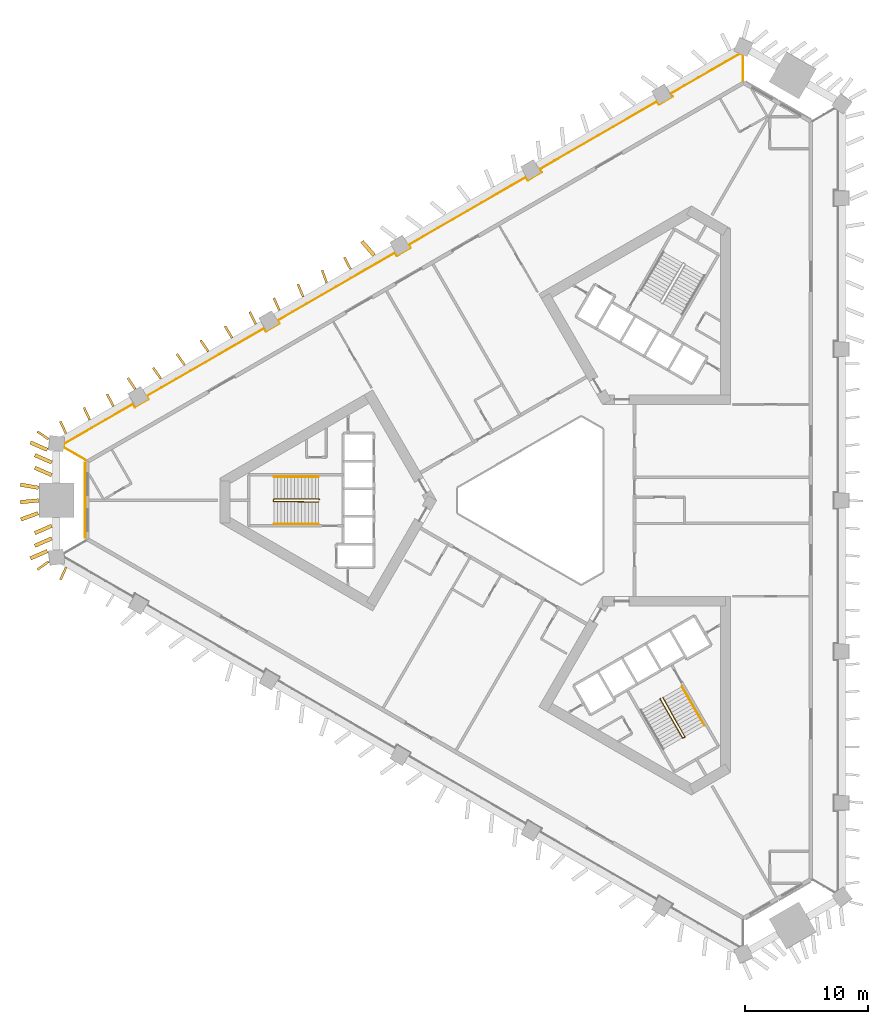
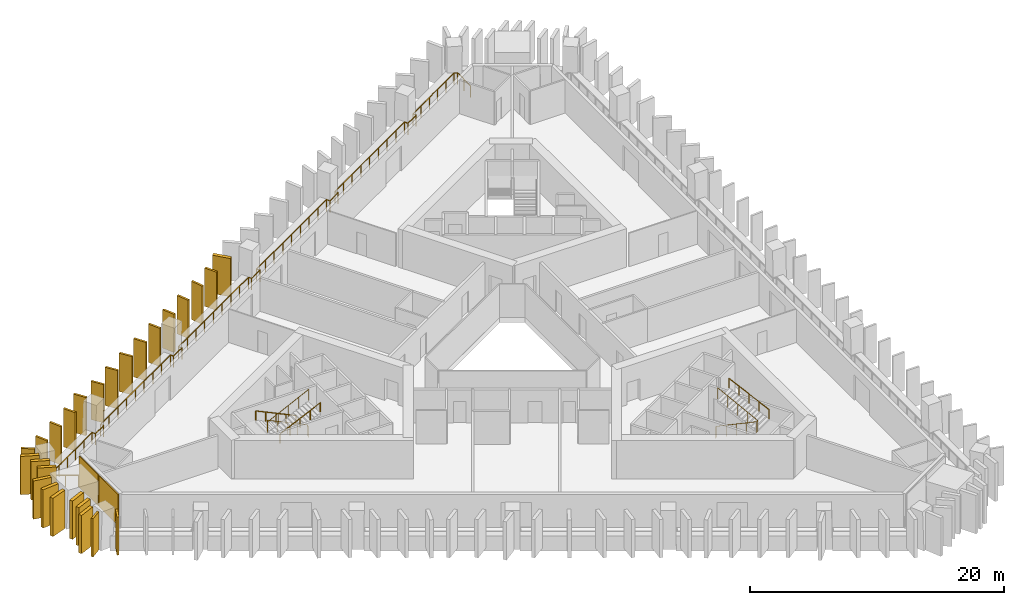
# One storey, part 8 of 10: 26 shading devices, 6 railings, 2 coverings.
"""IFC4 building model written with IfcOpenShell, lengths in metres."""

from ifc_helpers import new_model, si_unit, direction, frame, frame_2d, origin, origin_2d, place, context, subcontext, project, spatial, rectangle, circle, extrude, material, layer, layer_set, type_object, element, save


model = new_model("IFC4")

# Units and contexts
model_context = context("Model", 3, precision=1e-05, world=origin(), true_north=direction((0.0, 1.0)))
body_context = subcontext(model_context, "Body", "Model", "MODEL_VIEW")
ifc_project = project(units=[si_unit("LENGTHUNIT", "METRE"), si_unit("AREAUNIT", "SQUARE_METRE"), si_unit("VOLUMEUNIT", "CUBIC_METRE"), si_unit("PLANEANGLEUNIT", "RADIAN"), si_unit("MASSUNIT", "GRAM", prefix="KILO")], contexts=[model_context])

# Site, building, storey
site_placement = place(None, origin())
site = spatial("IfcSite", under=ifc_project, at=site_placement, CompositionType="ELEMENT")
building_placement = place(site_placement, origin())
building = spatial("IfcBuilding", under=site, at=building_placement, Name="Jabali Bay Hotel Tower and Convention Centre", CompositionType="ELEMENT")
storey_placement = place(building_placement, frame((0.0, 0.0, 33.699951171875)))
storey = spatial("IfcBuildingStorey", under=building, at=storey_placement, Name="L06", CompositionType="ELEMENT", Elevation=33.699951171875)

# Railing
ifc_material_1 = material(Name="Glass", Category="glass")
railing_type_1 = type_object("IfcRailingType", Name="Loggia glass guard 1100", PredefinedType="BALUSTRADE", material=ifc_material_1)
railing_1_placement = place(storey_placement, frame((37.45947265625, 83.296630859375, 0.0)))
element("IfcRailing", 1, at=railing_1_placement, inside=storey, type_object=railing_type_1, Name="Loggia glass guard L06", PredefinedType="BALUSTRADE", context=body_context, shape_type="SweptSolid", body=[
    extrude(circle(Radius=0.02490234375, at=origin_2d()), frame((0.0, 0.0, 1.0751953125), z_axis=(-0.865975938727, 0.500085666207, 0.0), x_axis=(-0.495807364007, -0.858567394524, 0.13052619222)), (0.0, 0.0, 1.0), 2.055908203125),
    extrude(circle(Radius=0.02490234375, at=origin_2d()), frame((-1.7802734375, 1.028076171875, 1.0751953125), z_axis=(0.115132230487, 0.993350174663, 0.0), x_axis=(-0.984851926214, 0.114147258294, 0.13052619222)), (0.0, 0.0, 1.0), 0.2734375),
    extrude(circle(Radius=0.02490234375, at=origin_2d()), frame((-1.748779296875, 1.2998046875, 1.0751953125), z_axis=(0.866023614384, 0.50000309932, 0.0), x_axis=(-0.495725503492, 0.858614662309, 0.13052619222)), (0.0, 0.0, 1.0), 6.47607421875),
    extrude(circle(Radius=0.02490234375, at=origin_2d()), frame((3.859619140625, 4.537841796875, 1.0751953125), z_axis=(0.500426713919, -0.865778900179, 0.0), x_axis=(0.858372041669, 0.49614549401, 0.13052619222)), (0.0, 0.0, 1.0), 0.300048828125),
    extrude(circle(Radius=0.02490234375, at=origin_2d()), frame((4.009765625, 4.278076171875, 1.0751953125), z_axis=(0.86603858612, 0.49997716683, 0.0), x_axis=(-0.495699792858, 0.85862950596, 0.13052619222)), (0.0, 0.0, 1.0), 1.2998046875),
    extrude(circle(Radius=0.02490234375, at=origin_2d()), frame((5.135498046875, 4.927978515625, 1.0751953125), z_axis=(-0.499464218792, 0.866334516308, 0.0), x_axis=(-0.858922904424, -0.495191233161, 0.13052619222)), (0.0, 0.0, 1.0), 0.300048828125),
    extrude(circle(Radius=0.02490234375, at=origin_2d()), frame((4.985595703125, 5.18798828125, 1.0751953125), z_axis=(0.866023336184, 0.500003581172, 0.0), x_axis=(-0.495725981221, 0.85861438649, 0.13052619222)), (0.0, 0.0, 1.0), 11.00048828125),
    extrude(circle(Radius=0.02490234375, at=origin_2d()), frame((14.51220703125, 10.688232421875, 1.0751953125), z_axis=(0.500426713919, -0.865778900179, 0.0), x_axis=(0.858372041669, 0.49614549401, 0.13052619222)), (0.0, 0.0, 1.0), 0.300048828125),
    extrude(circle(Radius=0.02490234375, at=origin_2d()), frame((14.662353515625, 10.428466796875, 1.0751953125), z_axis=(0.86603858612, 0.49997716683, 0.0), x_axis=(-0.495699792858, 0.85862950596, 0.13052619222)), (0.0, 0.0, 1.0), 1.2998046875),
    extrude(circle(Radius=0.02490234375, at=origin_2d()), frame((15.7880859375, 11.078369140625, 1.0751953125), z_axis=(-0.499816412211, 0.866131372301, 0.0), x_axis=(-0.858721498343, -0.495540413517, 0.13052619222)), (0.0, 0.0, 1.0), 0.2998046875),
    extrude(circle(Radius=0.02490234375, at=origin_2d()), frame((15.63818359375, 11.338134765625, 1.0751953125), z_axis=(0.866028884548, 0.499993971093, 0.0), x_axis=(-0.495716453358, 0.858619887386, 0.13052619222)), (0.0, 0.0, 1.0), 11.000732421875),
    extrude(circle(Radius=0.02490234375, at=origin_2d()), frame((25.1650390625, 16.83837890625, 1.0751953125), z_axis=(0.499816412211, -0.866131372301, 0.0), x_axis=(0.858721498343, 0.495540413517, 0.13052619222)), (0.0, 0.0, 1.0), 0.2998046875),
    extrude(circle(Radius=0.02490234375, at=origin_2d()), frame((25.31494140625, 16.57861328125, 1.0751953125), z_axis=(0.86595725628, 0.500118016368, 0.0), x_axis=(-0.495839437409, 0.858548871908, 0.13052619222)), (0.0, 0.0, 1.0), 1.300048828125),
    extrude(circle(Radius=0.02490234375, at=origin_2d()), frame((26.440673828125, 17.228759765625, 1.0751953125), z_axis=(-0.499816412211, 0.866131372301, 0.0), x_axis=(-0.858721498343, -0.495540413517, 0.13052619222)), (0.0, 0.0, 1.0), 0.2998046875),
    extrude(circle(Radius=0.02490234375, at=origin_2d()), frame((26.290771484375, 17.488525390625, 1.0751953125), z_axis=(0.866028884548, 0.499993971093, 0.0), x_axis=(-0.495716453358, 0.858619887386, 0.13052619222)), (0.0, 0.0, 1.0), 11.000732421875),
    extrude(circle(Radius=0.02490234375, at=origin_2d()), frame((35.817626953125, 22.98876953125, 1.0751953125), z_axis=(0.499816412211, -0.866131372301, 0.0), x_axis=(0.858721498343, 0.495540413517, 0.13052619222)), (0.0, 0.0, 1.0), 0.2998046875),
    extrude(circle(Radius=0.02490234375, at=origin_2d()), frame((35.967529296875, 22.72900390625, 1.0751953125), z_axis=(0.866085525409, 0.49989585183, 0.0), x_axis=(-0.495619173519, 0.858676043677, 0.13052619222)), (0.0, 0.0, 1.0), 1.300048828125),
    extrude(circle(Radius=0.02490234375, at=origin_2d()), frame((37.093505859375, 23.37890625, 1.0751953125), z_axis=(-0.500426713919, 0.865778900179, 0.0), x_axis=(-0.858372041669, -0.49614549401, 0.13052619222)), (0.0, 0.0, 1.0), 0.300048828125),
    extrude(circle(Radius=0.02490234375, at=origin_2d()), frame((36.943359375, 23.638671875, 1.0751953125), z_axis=(0.866019274569, 0.500010615962, 0.0), x_axis=(-0.495732955827, 0.858610359623, 0.13052619222)), (0.0, 0.0, 1.0), 11.000732421875),
    extrude(circle(Radius=0.02490234375, at=origin_2d()), frame((46.47021484375, 29.13916015625, 1.0751953125), z_axis=(0.499816412211, -0.866131372301, 0.0), x_axis=(0.858721498343, 0.495540413517, 0.13052619222)), (0.0, 0.0, 1.0), 0.2998046875),
    extrude(circle(Radius=0.02490234375, at=origin_2d()), frame((46.6201171875, 28.87939453125, 1.0751953125), z_axis=(0.866085525409, 0.49989585183, 0.0), x_axis=(-0.495619173519, 0.858676043677, 0.13052619222)), (0.0, 0.0, 1.0), 1.300048828125),
    extrude(circle(Radius=0.02490234375, at=origin_2d()), frame((47.74609375, 29.529296875, 1.0751953125), z_axis=(-0.500426713919, 0.865778900179, 0.0), x_axis=(-0.858372041669, -0.49614549401, 0.13052619222)), (0.0, 0.0, 1.0), 0.300048828125),
    extrude(circle(Radius=0.02490234375, at=origin_2d()), frame((47.595947265625, 29.7890625, 1.0751953125), z_axis=(0.866033038813, 0.499986775509, 0.0), x_axis=(-0.495709319334, 0.858624006111, 0.13052619222)), (0.0, 0.0, 1.0), 6.476318359375),
    extrude(circle(Radius=0.02490234375, at=origin_2d()), frame((53.20458984375, 33.027099609375, 1.0751953125), z_axis=(0.918173029309, -0.396179616145, 0.0), x_axis=(0.392790244608, 0.910317931761, 0.13052619222)), (0.0, 0.0, 1.0), 0.273681640625),
    extrude(circle(Radius=0.02490234375, at=origin_2d()), frame((53.455810546875, 32.918701171875, 1.0751953125), z_axis=(0.0, -1.0, 0.0), x_axis=(0.991444861374, 0.0, 0.13052619222)), (0.0, 0.0, 1.0), 2.055908203125),
    extrude(circle(Radius=0.02001953125, at=origin_2d()), origin(), (0.0, 0.0, 1.0), 1.050048828125),
    extrude(circle(Radius=0.02001953125, at=origin_2d()), frame((-0.89013671875, 0.51416015625, 0.0)), (0.0, 0.0, 1.0), 1.050048828125),
    extrude(circle(Radius=0.02001953125, at=origin_2d()), frame((-1.7802734375, 1.028076171875, 0.0)), (0.0, 0.0, 1.0), 1.050048828125),
    extrude(circle(Radius=0.02001953125, at=origin_2d()), frame((-1.748779296875, 1.2998046875, 0.0)), (0.0, 0.0, 1.0), 1.050048828125),
    extrude(circle(Radius=0.02001953125, at=origin_2d()), frame((-0.627197265625, 1.947509765625, 0.0)), (0.0, 0.0, 1.0), 1.050048828125),
    extrude(circle(Radius=0.02001953125, at=origin_2d()), frame((0.49462890625, 2.594970703125, 0.0)), (0.0, 0.0, 1.0), 1.050048828125),
    extrude(circle(Radius=0.02001953125, at=origin_2d()), frame((1.6162109375, 3.24267578125, 0.0)), (0.0, 0.0, 1.0), 1.050048828125),
    extrude(circle(Radius=0.02001953125, at=origin_2d()), frame((2.738037109375, 3.89013671875, 0.0)), (0.0, 0.0, 1.0), 1.050048828125),
    extrude(circle(Radius=0.02001953125, at=origin_2d()), frame((3.859619140625, 4.537841796875, 0.0)), (0.0, 0.0, 1.0), 1.050048828125),
    extrude(circle(Radius=0.02001953125, at=origin_2d()), frame((4.009765625, 4.278076171875, 0.0)), (0.0, 0.0, 1.0), 1.050048828125),
    extrude(circle(Radius=0.02001953125, at=origin_2d()), frame((5.135498046875, 4.927978515625, 0.0)), (0.0, 0.0, 1.0), 1.050048828125),
    extrude(circle(Radius=0.02001953125, at=origin_2d()), frame((4.985595703125, 5.18798828125, 0.0)), (0.0, 0.0, 1.0), 1.050048828125),
    extrude(circle(Radius=0.02001953125, at=origin_2d()), frame((6.176513671875, 5.87548828125, 0.0)), (0.0, 0.0, 1.0), 1.050048828125),
    extrude(circle(Radius=0.02001953125, at=origin_2d()), frame((7.3671875, 6.56298828125, 0.0)), (0.0, 0.0, 1.0), 1.050048828125),
    extrude(circle(Radius=0.02001953125, at=origin_2d()), frame((8.55810546875, 7.25048828125, 0.0)), (0.0, 0.0, 1.0), 1.050048828125),
    extrude(circle(Radius=0.02001953125, at=origin_2d()), frame((9.7490234375, 7.93798828125, 0.0)), (0.0, 0.0, 1.0), 1.050048828125),
    extrude(circle(Radius=0.02001953125, at=origin_2d()), frame((10.939697265625, 8.625732421875, 0.0)), (0.0, 0.0, 1.0), 1.050048828125),
    extrude(circle(Radius=0.02001953125, at=origin_2d()), frame((12.130615234375, 9.313232421875, 0.0)), (0.0, 0.0, 1.0), 1.050048828125),
    extrude(circle(Radius=0.02001953125, at=origin_2d()), frame((13.3212890625, 10.000732421875, 0.0)), (0.0, 0.0, 1.0), 1.050048828125),
    extrude(circle(Radius=0.02001953125, at=origin_2d()), frame((14.51220703125, 10.688232421875, 0.0)), (0.0, 0.0, 1.0), 1.050048828125),
    extrude(circle(Radius=0.02001953125, at=origin_2d()), frame((14.662353515625, 10.428466796875, 0.0)), (0.0, 0.0, 1.0), 1.050048828125),
    extrude(circle(Radius=0.02001953125, at=origin_2d()), frame((15.7880859375, 11.078369140625, 0.0)), (0.0, 0.0, 1.0), 1.050048828125),
    extrude(circle(Radius=0.02001953125, at=origin_2d()), frame((15.63818359375, 11.338134765625, 0.0)), (0.0, 0.0, 1.0), 1.050048828125),
    extrude(circle(Radius=0.02001953125, at=origin_2d()), frame((16.8291015625, 12.025634765625, 0.0)), (0.0, 0.0, 1.0), 1.050048828125),
    extrude(circle(Radius=0.02001953125, at=origin_2d()), frame((18.02001953125, 12.713134765625, 0.0)), (0.0, 0.0, 1.0), 1.050048828125),
    extrude(circle(Radius=0.02001953125, at=origin_2d()), frame((19.210693359375, 13.400634765625, 0.0)), (0.0, 0.0, 1.0), 1.050048828125),
    extrude(circle(Radius=0.02001953125, at=origin_2d()), frame((20.401611328125, 14.08837890625, 0.0)), (0.0, 0.0, 1.0), 1.050048828125),
    extrude(circle(Radius=0.02001953125, at=origin_2d()), frame((21.592529296875, 14.77587890625, 0.0)), (0.0, 0.0, 1.0), 1.050048828125),
    extrude(circle(Radius=0.02001953125, at=origin_2d()), frame((22.783203125, 15.46337890625, 0.0)), (0.0, 0.0, 1.0), 1.050048828125),
    extrude(circle(Radius=0.02001953125, at=origin_2d()), frame((23.97412109375, 16.15087890625, 0.0)), (0.0, 0.0, 1.0), 1.050048828125),
    extrude(circle(Radius=0.02001953125, at=origin_2d()), frame((25.1650390625, 16.83837890625, 0.0)), (0.0, 0.0, 1.0), 1.050048828125),
    extrude(circle(Radius=0.02001953125, at=origin_2d()), frame((25.31494140625, 16.57861328125, 0.0)), (0.0, 0.0, 1.0), 1.050048828125),
    extrude(circle(Radius=0.02001953125, at=origin_2d()), frame((26.440673828125, 17.228759765625, 0.0)), (0.0, 0.0, 1.0), 1.050048828125),
    extrude(circle(Radius=0.02001953125, at=origin_2d()), frame((26.290771484375, 17.488525390625, 0.0)), (0.0, 0.0, 1.0), 1.050048828125),
    extrude(circle(Radius=0.02001953125, at=origin_2d()), frame((27.481689453125, 18.176025390625, 0.0)), (0.0, 0.0, 1.0), 1.050048828125),
    extrude(circle(Radius=0.02001953125, at=origin_2d()), frame((28.67236328125, 18.863525390625, 0.0)), (0.0, 0.0, 1.0), 1.050048828125),
    extrude(circle(Radius=0.02001953125, at=origin_2d()), frame((29.86328125, 19.551025390625, 0.0)), (0.0, 0.0, 1.0), 1.050048828125),
    extrude(circle(Radius=0.02001953125, at=origin_2d()), frame((31.05419921875, 20.23876953125, 0.0)), (0.0, 0.0, 1.0), 1.050048828125),
    extrude(circle(Radius=0.02001953125, at=origin_2d()), frame((32.2451171875, 20.92626953125, 0.0)), (0.0, 0.0, 1.0), 1.050048828125),
    extrude(circle(Radius=0.02001953125, at=origin_2d()), frame((33.43603515625, 21.61376953125, 0.0)), (0.0, 0.0, 1.0), 1.050048828125),
    extrude(circle(Radius=0.02001953125, at=origin_2d()), frame((34.626708984375, 22.30126953125, 0.0)), (0.0, 0.0, 1.0), 1.050048828125),
    extrude(circle(Radius=0.02001953125, at=origin_2d()), frame((35.817626953125, 22.98876953125, 0.0)), (0.0, 0.0, 1.0), 1.050048828125),
    extrude(circle(Radius=0.02001953125, at=origin_2d()), frame((35.967529296875, 22.72900390625, 0.0)), (0.0, 0.0, 1.0), 1.050048828125),
    extrude(circle(Radius=0.02001953125, at=origin_2d()), frame((37.093505859375, 23.37890625, 0.0)), (0.0, 0.0, 1.0), 1.050048828125),
    extrude(circle(Radius=0.02001953125, at=origin_2d()), frame((36.943359375, 23.638671875, 0.0)), (0.0, 0.0, 1.0), 1.050048828125),
    extrude(circle(Radius=0.02001953125, at=origin_2d()), frame((38.13427734375, 24.326171875, 0.0)), (0.0, 0.0, 1.0), 1.050048828125),
    extrude(circle(Radius=0.02001953125, at=origin_2d()), frame((39.3251953125, 25.013671875, 0.0)), (0.0, 0.0, 1.0), 1.050048828125),
    extrude(circle(Radius=0.02001953125, at=origin_2d()), frame((40.515869140625, 25.701416015625, 0.0)), (0.0, 0.0, 1.0), 1.050048828125),
    extrude(circle(Radius=0.02001953125, at=origin_2d()), frame((41.706787109375, 26.388916015625, 0.0)), (0.0, 0.0, 1.0), 1.050048828125),
    extrude(circle(Radius=0.02001953125, at=origin_2d()), frame((42.897705078125, 27.076416015625, 0.0)), (0.0, 0.0, 1.0), 1.050048828125),
    extrude(circle(Radius=0.02001953125, at=origin_2d()), frame((44.08837890625, 27.76416015625, 0.0)), (0.0, 0.0, 1.0), 1.050048828125),
    extrude(circle(Radius=0.02001953125, at=origin_2d()), frame((45.279296875, 28.45166015625, 0.0)), (0.0, 0.0, 1.0), 1.050048828125),
    extrude(circle(Radius=0.02001953125, at=origin_2d()), frame((46.47021484375, 29.13916015625, 0.0)), (0.0, 0.0, 1.0), 1.050048828125),
    extrude(circle(Radius=0.02001953125, at=origin_2d()), frame((46.6201171875, 28.87939453125, 0.0)), (0.0, 0.0, 1.0), 1.050048828125),
    extrude(circle(Radius=0.02001953125, at=origin_2d()), frame((47.74609375, 29.529296875, 0.0)), (0.0, 0.0, 1.0), 1.050048828125),
    extrude(circle(Radius=0.02001953125, at=origin_2d()), frame((47.595947265625, 29.7890625, 0.0)), (0.0, 0.0, 1.0), 1.050048828125),
    extrude(circle(Radius=0.02001953125, at=origin_2d()), frame((48.7177734375, 30.436767578125, 0.0)), (0.0, 0.0, 1.0), 1.050048828125),
    extrude(circle(Radius=0.02001953125, at=origin_2d()), frame((49.83935546875, 31.084228515625, 0.0)), (0.0, 0.0, 1.0), 1.050048828125),
    extrude(circle(Radius=0.02001953125, at=origin_2d()), frame((50.961181640625, 31.73193359375, 0.0)), (0.0, 0.0, 1.0), 1.050048828125),
    extrude(circle(Radius=0.02001953125, at=origin_2d()), frame((52.082763671875, 32.37939453125, 0.0)), (0.0, 0.0, 1.0), 1.050048828125),
    extrude(circle(Radius=0.02001953125, at=origin_2d()), frame((53.20458984375, 33.027099609375, 0.0)), (0.0, 0.0, 1.0), 1.050048828125),
    extrude(circle(Radius=0.02001953125, at=origin_2d()), frame((53.455810546875, 32.918701171875, 0.0)), (0.0, 0.0, 1.0), 1.050048828125),
    extrude(circle(Radius=0.02001953125, at=origin_2d()), frame((53.455810546875, 31.890625, 0.0)), (0.0, 0.0, 1.0), 1.050048828125),
    extrude(circle(Radius=0.02001953125, at=origin_2d()), frame((53.455810546875, 30.86279296875, 0.0)), (0.0, 0.0, 1.0), 1.050048828125),
])

# Shading devices
ifc_material_2 = material(Name="Precast concrete C60", Category="concrete")
ifc_layer_1 = layer(ifc_material_2, 0.179931640625)
ifc_layer_set_1 = layer_set([ifc_layer_1], Name="Precast concrete C60")
shading_device_type_1 = type_object("IfcShadingDeviceType", Name="Precast fin 3680 x 1100", PredefinedType="USERDEFINED", material=ifc_layer_set_1)
shading_device_1_placement = place(storey_placement, frame((59.008544921875, 98.7939453125, 0.010009765625), z_axis=(0.0, 0.0, 1.0), x_axis=(-0.459332366424, 0.88826447478, 0.0)))
element("IfcShadingDevice", 2, at=shading_device_1_placement, inside=storey, type_object=shading_device_type_1, Name="Fin L06 054", ObjectType="FIN", PredefinedType="USERDEFINED", context=body_context, shape_type="SweptSolid", body=[
    extrude(rectangle(XDim=1.100341796875, YDim=0.179931640625, at=frame_2d((0.55029296875, 0.0))), origin(), (0.0, 0.0, 1.0), 3.679931640625),
])
shading_device_2_placement = place(storey_placement, frame((57.0751953125, 97.6904296875, 0.010009765625), z_axis=(0.0, 0.0, 1.0), x_axis=(-0.348470725393, 0.937319664546, 0.0)))
element("IfcShadingDevice", 3, at=shading_device_2_placement, inside=storey, type_object=shading_device_type_1, Name="Fin L06 055", ObjectType="FIN", PredefinedType="USERDEFINED", context=body_context, shape_type="SweptSolid", body=[
    extrude(rectangle(XDim=1.099853515625, YDim=0.179931640625, at=frame_2d((0.5498046875, 0.0))), origin(), (0.0, 0.0, 1.0), 3.679931640625),
])
for number, where, z_axis, x_axis, name in (
    (4, (55.149169921875, 96.574462890625, 0.010009765625), (0.0, 0.0, 1.0), (-0.38325979968, 0.923640582667, 0.0), "Fin L06 056"),
    (5, (53.22265625, 95.459228515625, 0.010009765625), (0.0, 0.0, 1.0), (-0.409718567831, 0.912211979298, 0.0), "Fin L06 057"),
    (6, (51.296630859375, 94.343505859375, 0.010009765625), (0.0, 0.0, 1.0), (-0.442502765663, 0.896767139441, 0.0), "Fin L06 058"),
    (7, (49.37109375, 93.2265625, 0.010009765625), (0.0, 0.0, 1.0), (-0.513059136853, 0.858353261829, 0.0), "Fin L06 059"),
    (8, (47.440185546875, 92.118896484375, 0.010009765625), (0.0, 0.0, 1.0), (-0.571285563953, 0.820751365773, 0.0), "Fin L06 060"),
    (9, (45.512451171875, 91.005859375, 0.010009765625), (0.0, 0.0, 1.0), (-0.570778360413, 0.821104173223, 0.0), "Fin L06 061"),
    (10, (43.58447265625, 89.892822265625, 0.010009765625), (0.0, 0.0, 1.0), (-0.570375013662, 0.821384406834, 0.0), "Fin L06 062"),
    (11, (41.50390625, 89.04443359375, 0.010009765625), (0.0, 0.0, 1.0), (-0.553316522906, 0.832971083219, 0.0), "Fin L06 063"),
):
    element("IfcShadingDevice", number, at=place(storey_placement, frame(where, z_axis=z_axis, x_axis=x_axis)), inside=storey, type_object=shading_device_type_1, Name=name, ObjectType="FIN", PredefinedType="USERDEFINED", context=body_context, shape_type="SweptSolid", body=[
        extrude(rectangle(XDim=1.10009765625, YDim=0.179931640625, at=frame_2d((0.550048828125, 0.0))), origin(), (0.0, 0.0, 1.0), 3.679931640625),
    ])
for number, where, z_axis, x_axis, name in (
    (12, (39.731201171875, 87.6630859375, 0.010009765625), (0.0, 0.0, 1.0), (-0.471025978109, 0.882119338835, 0.0), "Fin L06 064"),
    (13, (37.80126953125, 86.553955078125, 0.010009765625), (0.0, 0.0, 1.0), (-0.426406259565, 0.904531758317, 0.0), "Fin L06 065"),
):
    element("IfcShadingDevice", number, at=place(storey_placement, frame(where, z_axis=z_axis, x_axis=x_axis)), inside=storey, type_object=shading_device_type_1, Name=name, ObjectType="FIN", PredefinedType="USERDEFINED", context=body_context, shape_type="SweptSolid", body=[
        extrude(rectangle(XDim=1.099853515625, YDim=0.179931640625, at=frame_2d((0.5498046875, 0.0))), origin(), (0.0, 0.0, 1.0), 3.679931640625),
    ])
for number, where, z_axis, x_axis, name in (
    (14, (35.87353515625, 85.44091796875, 0.010009765625), (0.0, 0.0, 1.0), (-0.426139043855, 0.904657678518, 0.0), "Fin L06 066"),
    (15, (35.87255859375, 74.5576171875, 0.010009765625), (0.0, 0.0, 1.0), (-0.407908572916, -0.91302277964, 0.0), "Fin L06 076"),
    (16, (34.45361328125, 84.974365234375, 0.010009765625), (0.0, 0.0, 1.0), (-0.821208179696, 0.57062871081, 0.0), "Fin L06 117"),
):
    element("IfcShadingDevice", number, at=place(storey_placement, frame(where, z_axis=z_axis, x_axis=x_axis)), inside=storey, type_object=shading_device_type_1, Name=name, ObjectType="FIN", PredefinedType="USERDEFINED", context=body_context, shape_type="SweptSolid", body=[
        extrude(rectangle(XDim=1.10009765625, YDim=0.179931640625, at=frame_2d((0.550048828125, 0.0))), origin(), (0.0, 0.0, 1.0), 3.679931640625),
    ])
shading_device_3_placement = place(storey_placement, frame((34.45263671875, 75.025146484375, 0.010009765625), z_axis=(0.0, 0.0, 1.0), x_axis=(-0.814153185177, -0.580650145153, 0.0)))
element("IfcShadingDevice", 17, at=shading_device_3_placement, inside=storey, type_object=shading_device_type_1, Name="Fin L06 118", ObjectType="FIN", PredefinedType="USERDEFINED", context=body_context, shape_type="SweptSolid", body=[
    extrude(rectangle(XDim=1.099853515625, YDim=0.179931640625, at=frame_2d((0.5498046875, 0.0))), origin(), (0.0, 0.0, 1.0), 3.679931640625),
])
ifc_layer_2 = layer(ifc_material_2, 0.300048828125)
ifc_layer_set_2 = layer_set([ifc_layer_2], Name="Precast concrete C60")
shading_device_type_2 = type_object("IfcShadingDeviceType", Name="Precast fin 3680 x 1500", PredefinedType="USERDEFINED", material=ifc_layer_set_2)
for number, where, z_axis, x_axis, name in (
    (18, (60.923828125, 99.9287109375, 0.010009765625), (0.0, 0.0, 1.0), (-0.659022985088, 0.752122799233, 0.0), "Fin L06 053"),
    (19, (34.35205078125, 84.11083984375, 0.010009765625), (0.0, 0.0, 1.0), (-0.915760895771, 0.401723763022, 0.0), "Fin L06 067"),
    (20, (34.71240234375, 83.0830078125, 0.010009765625), (0.0, 0.0, 1.0), (-0.915701008109, 0.401860254003, 0.0), "Fin L06 068"),
    (21, (34.71240234375, 82.055419921875, 0.010009765625), (0.0, 0.0, 1.0), (-0.915760895771, 0.401723763022, 0.0), "Fin L06 069"),
    (22, (33.634521484375, 81.027587890625, 0.010009765625), (0.0, 0.0, 1.0), (-0.984950220448, 0.172838257455, 0.0), "Fin L06 070"),
    (23, (33.646484375, 80.0, 0.010009765625), (0.0, 0.0, 1.0), (-0.995777672929, -0.091797745592, 0.0), "Fin L06 071"),
    (24, (33.608154296875, 78.972412109375, 0.010009765625), (0.0, 0.0, 1.0), (-0.937448036521, -0.348125234396, 0.0), "Fin L06 072"),
    (25, (34.71240234375, 77.944580078125, 0.010009765625), (0.0, 0.0, 1.0), (-0.915760895771, -0.401723763022, 0.0), "Fin L06 073"),
    (26, (34.71240234375, 76.9169921875, 0.010009765625), (0.0, 0.0, 1.0), (-0.915701008109, -0.401860254003, 0.0), "Fin L06 074"),
    (27, (34.35205078125, 75.88916015625, 0.010009765625), (0.0, 0.0, 1.0), (-0.915760895771, -0.401723763022, 0.0), "Fin L06 075"),
):
    element("IfcShadingDevice", number, at=place(storey_placement, frame(where, z_axis=z_axis, x_axis=x_axis)), inside=storey, type_object=shading_device_type_2, Name=name, ObjectType="FIN", PredefinedType="USERDEFINED", context=body_context, shape_type="SweptSolid", body=[
        extrude(rectangle(XDim=1.5, YDim=0.300048828125, at=frame_2d((0.75, 0.0))), origin(), (0.0, 0.0, 1.0), 3.679931640625),
    ])

# Coverings
ifc_material_3 = material(Name="Precast concrete C40/50", Category="concrete")
ifc_layer_3 = layer(ifc_material_3, 0.080078125)
ifc_layer_set_3 = layer_set([ifc_layer_3], Name="Precast concrete C40/50")
covering_type = type_object("IfcCoveringType", Name="Relief panel 3000 x 3000", PredefinedType="CLADDING", material=ifc_layer_set_3)
for number, where, z_axis, x_axis, name in (
    (28, (37.41943359375, 78.44921875, 0.10009765625), (0.0, 0.0, 1.0), (0.0, 1.0, 0.0), "Relief panel L06"),
    (29, (37.41943359375, 81.55078125, 0.10009765625), (0.0, 0.0, 1.0), (0.0, 1.0, 0.0), "Relief panel L06"),
):
    element("IfcCovering", number, at=place(storey_placement, frame(where, z_axis=z_axis, x_axis=x_axis)), inside=storey, type_object=covering_type, Name=name, PredefinedType="CLADDING", context=body_context, shape_type="SweptSolid", body=[
        extrude(rectangle(XDim=3.0, YDim=0.080078125, at=origin_2d()), origin(), (0.0, 0.0, 1.0), 3.0),
    ])

# Railings
ifc_material_4 = material(Name="Steel Q355B", Category="steel")
railing_type_2 = type_object("IfcRailingType", Name="Stair guard 1100", PredefinedType="GUARDRAIL", material=ifc_material_4)
railing_2_placement = place(storey_placement, frame((56.469970703125, 80.074951171875, 0.0)))
element("IfcRailing", 30, at=railing_2_placement, inside=storey, type_object=railing_type_2, Name="L06 ST1 stair guard 1", PredefinedType="GUARDRAIL", context=body_context, shape_type="SweptSolid", body=[
    extrude(circle(Radius=0.02392578125, at=origin_2d()), frame((0.0, 0.0, 1.076171875), z_axis=(-0.333993628408, 0.333993628408, 0.881417331555), x_axis=(-0.707106781187, -0.707106781187, 0.0)), (0.0, 0.0, 1.0), 0.14990234375),
    extrude(circle(Radius=0.02392578125, at=origin_2d()), frame((-0.050048828125, 0.050048828125, 1.2080078125), z_axis=(-0.904327350853, 0.0, 0.426839598092), x_axis=(0.0, -1.0, 0.0)), (0.0, 0.0, 1.0), 4.02490234375),
    extrude(circle(Radius=0.02392578125, at=origin_2d()), frame((-3.68994140625, 0.050048828125, 2.92626953125), z_axis=(-0.242814311512, -0.970072785993, 0.0), x_axis=(0.970072785993, -0.242814311512, 0.0)), (0.0, 0.0, 1.0), 0.2060546875),
    extrude(circle(Radius=0.02392578125, at=origin_2d()), frame((-3.739990234375, -0.14990234375, 2.92626953125), z_axis=(0.893887803671, -0.012124321804, 0.4481267625), x_axis=(0.013562335953, 0.999908027292, 0.0)), (0.0, 0.0, 1.0), 4.1279296875),
    extrude(circle(Radius=0.02099609375, at=origin_2d()), origin(), (0.0, 0.0, 1.0), 1.052001953125),
    extrude(circle(Radius=0.02099609375, at=origin_2d()), frame((-0.050048828125, 0.050048828125, 0.132080078125)), (0.0, 0.0, 1.0), 1.052001953125),
    extrude(circle(Radius=0.02099609375, at=origin_2d()), frame((-0.9599609375, 0.050048828125, 0.5615234375)), (0.0, 0.0, 1.0), 1.052001953125),
    extrude(circle(Radius=0.02099609375, at=origin_2d()), frame((-1.8701171875, 0.050048828125, 0.9912109375)), (0.0, 0.0, 1.0), 1.052001953125),
    extrude(circle(Radius=0.02099609375, at=origin_2d()), frame((-2.780029296875, 0.050048828125, 1.420654296875)), (0.0, 0.0, 1.0), 1.052001953125),
    extrude(circle(Radius=0.02099609375, at=origin_2d()), frame((-3.68994140625, 0.050048828125, 1.85009765625)), (0.0, 0.0, 1.0), 1.052001953125),
    extrude(circle(Radius=0.02099609375, at=origin_2d()), frame((-3.739990234375, -0.14990234375, 1.85009765625)), (0.0, 0.0, 1.0), 1.052001953125),
    extrude(circle(Radius=0.02099609375, at=origin_2d()), frame((-2.8173828125, -0.162353515625, 2.3125)), (0.0, 0.0, 1.0), 1.052001953125),
    extrude(circle(Radius=0.02099609375, at=origin_2d()), frame((-1.89501953125, -0.1748046875, 2.77490234375)), (0.0, 0.0, 1.0), 1.052001953125),
    extrude(circle(Radius=0.02099609375, at=origin_2d()), frame((-0.97265625, -0.1875, 3.237548828125)), (0.0, 0.0, 1.0), 1.052001953125),
    extrude(circle(Radius=0.02099609375, at=origin_2d()), frame((-0.050048828125, -0.199951171875, 3.699951171875)), (0.0, 0.0, 1.0), 1.052001953125),
])
railing_3_placement = place(storey_placement, frame((84.199951171875, 63.9150390625, 0.0)))
element("IfcRailing", 31, at=railing_3_placement, inside=storey, type_object=railing_type_2, Name="L06 ST3 stair guard 1", PredefinedType="GUARDRAIL", context=body_context, shape_type="SweptSolid", body=[
    extrude(circle(Radius=0.02392578125, at=origin_2d()), frame((0.0, 0.0, 1.076171875), z_axis=(-0.122196845461, -0.456201556387, 0.881446578591), x_axis=(0.965948051503, -0.258736085224, 0.0)), (0.0, 0.0, 1.0), 0.14990234375),
    extrude(circle(Radius=0.02392578125, at=origin_2d()), frame((-0.018310546875, -0.068359375, 1.2080078125), z_axis=(0.45217862506, -0.783169739339, 0.426825081763), x_axis=(0.866018046521, 0.500012742938, 0.0)), (0.0, 0.0, 1.0), 4.025146484375),
    extrude(circle(Radius=0.02392578125, at=origin_2d()), frame((1.8017578125, -3.220703125, 2.92626953125), z_axis=(0.96121063429, 0.275815366736, 0.0), x_axis=(-0.275815366736, 0.96121063429, 0.0)), (0.0, 0.0, 1.0), 0.206298828125),
    extrude(circle(Radius=0.02392578125, at=origin_2d()), frame((2.0, -3.163818359375, 2.92626953125), z_axis=(-0.436481798955, 0.780166857725, 0.448133142368), x_axis=(-0.872702246529, -0.488252792008, 0.0)), (0.0, 0.0, 1.0), 4.1279296875),
    extrude(circle(Radius=0.02099609375, at=origin_2d()), origin(), (0.0, 0.0, 1.0), 1.052001953125),
    extrude(circle(Radius=0.02099609375, at=origin_2d()), frame((-0.018310546875, -0.068359375, 0.132080078125)), (0.0, 0.0, 1.0), 1.052001953125),
    extrude(circle(Radius=0.02099609375, at=origin_2d()), frame((0.436767578125, -0.8564453125, 0.5615234375)), (0.0, 0.0, 1.0), 1.052001953125),
    extrude(circle(Radius=0.02099609375, at=origin_2d()), frame((0.8916015625, -1.64453125, 0.9912109375)), (0.0, 0.0, 1.0), 1.052001953125),
    extrude(circle(Radius=0.02099609375, at=origin_2d()), frame((1.3466796875, -2.4326171875, 1.420654296875)), (0.0, 0.0, 1.0), 1.052001953125),
    extrude(circle(Radius=0.02099609375, at=origin_2d()), frame((1.8017578125, -3.220703125, 1.85009765625)), (0.0, 0.0, 1.0), 1.052001953125),
    extrude(circle(Radius=0.02099609375, at=origin_2d()), frame((2.0, -3.163818359375, 1.85009765625)), (0.0, 0.0, 1.0), 1.052001953125),
    extrude(circle(Radius=0.02099609375, at=origin_2d()), frame((1.549560546875, -2.358642578125, 2.3125)), (0.0, 0.0, 1.0), 1.052001953125),
    extrude(circle(Radius=0.02099609375, at=origin_2d()), frame((1.09912109375, -1.5537109375, 2.77490234375)), (0.0, 0.0, 1.0), 1.052001953125),
    extrude(circle(Radius=0.02099609375, at=origin_2d()), frame((0.648681640625, -0.74853515625, 3.237548828125)), (0.0, 0.0, 1.0), 1.052001953125),
    extrude(circle(Radius=0.02099609375, at=origin_2d()), frame((0.1982421875, 0.056640625, 3.699951171875)), (0.0, 0.0, 1.0), 1.052001953125),
])
railing_type_3 = type_object("IfcRailingType", Name="Stair handrail 900", PredefinedType="HANDRAIL", material=ifc_material_4)
railing_4_placement = place(storey_placement, frame((56.419921875, 81.925048828125, 0.132080078125)))
element("IfcRailing", 32, at=railing_4_placement, inside=storey, type_object=railing_type_3, Name="L06 ST1 stair handrail 1", PredefinedType="HANDRAIL", context=body_context, shape_type="SweptSolid", body=[
    extrude(circle(Radius=0.02392578125, at=origin_2d()), frame((0.0, 0.0, 0.8759765625), z_axis=(-0.904327350853, 0.0, 0.426839598092), x_axis=(0.0, -1.0, 0.0)), (0.0, 0.0, 1.0), 4.02490234375),
    extrude(circle(Radius=0.02099609375, at=origin_2d()), origin(), (0.0, 0.0, 1.0), 0.851806640625),
    extrude(circle(Radius=0.02099609375, at=origin_2d()), frame((-0.909912109375, 0.0, 0.429443359375)), (0.0, 0.0, 1.0), 0.851806640625),
    extrude(circle(Radius=0.02099609375, at=origin_2d()), frame((-1.81982421875, 0.0, 0.85888671875)), (0.0, 0.0, 1.0), 0.851806640625),
    extrude(circle(Radius=0.02099609375, at=origin_2d()), frame((-2.72998046875, 0.0, 1.28857421875)), (0.0, 0.0, 1.0), 0.851806640625),
    extrude(circle(Radius=0.02099609375, at=origin_2d()), frame((-3.639892578125, 0.0, 1.718017578125)), (0.0, 0.0, 1.0), 0.851806640625),
])
railing_5_placement = place(storey_placement, frame((52.780029296875, 78.074951171875, 1.982177734375)))
element("IfcRailing", 33, at=railing_5_placement, inside=storey, type_object=railing_type_3, Name="L06 ST1 stair handrail 2", PredefinedType="HANDRAIL", context=body_context, shape_type="SweptSolid", body=[
    extrude(circle(Radius=0.02392578125, at=origin_2d()), frame((0.0, 0.0, 0.8759765625), z_axis=(0.904350763662, 0.0, 0.426789990819), x_axis=(0.0, 1.0, 0.0)), (0.0, 0.0, 1.0), 4.02490234375),
    extrude(circle(Radius=0.02099609375, at=origin_2d()), origin(), (0.0, 0.0, 1.0), 0.851806640625),
    extrude(circle(Radius=0.02099609375, at=origin_2d()), frame((0.909912109375, 0.0, 0.429443359375)), (0.0, 0.0, 1.0), 0.851806640625),
    extrude(circle(Radius=0.02099609375, at=origin_2d()), frame((1.81982421875, 0.0, 0.85888671875)), (0.0, 0.0, 1.0), 0.851806640625),
    extrude(circle(Radius=0.02099609375, at=origin_2d()), frame((2.72998046875, 0.0, 1.288330078125)), (0.0, 0.0, 1.0), 0.851806640625),
    extrude(circle(Radius=0.02099609375, at=origin_2d()), frame((3.639892578125, 0.0, 1.7177734375)), (0.0, 0.0, 1.0), 0.851806640625),
])
railing_6_placement = place(storey_placement, frame((87.777099609375, 61.719482421875, 1.982177734375)))
element("IfcRailing", 34, at=railing_6_placement, inside=storey, type_object=railing_type_3, Name="L06 ST3 stair handrail 2", PredefinedType="HANDRAIL", context=body_context, shape_type="SweptSolid", body=[
    extrude(circle(Radius=0.02392578125, at=origin_2d()), frame((0.0, 0.0, 0.8759765625), z_axis=(-0.452190331055, 0.783190014029, 0.426775475427), x_axis=(-0.866018046521, -0.500012742938, 0.0)), (0.0, 0.0, 1.0), 4.02490234375),
    extrude(circle(Radius=0.02099609375, at=origin_2d()), origin(), (0.0, 0.0, 1.0), 0.851806640625),
    extrude(circle(Radius=0.02099609375, at=origin_2d()), frame((-0.455078125, 0.7880859375, 0.429443359375)), (0.0, 0.0, 1.0), 0.851806640625),
    extrude(circle(Radius=0.02099609375, at=origin_2d()), frame((-0.91015625, 1.576171875, 0.85888671875)), (0.0, 0.0, 1.0), 0.851806640625),
    extrude(circle(Radius=0.02099609375, at=origin_2d()), frame((-1.364990234375, 2.3642578125, 1.288330078125)), (0.0, 0.0, 1.0), 0.851806640625),
    extrude(circle(Radius=0.02099609375, at=origin_2d()), frame((-1.820068359375, 3.15234375, 1.7177734375)), (0.0, 0.0, 1.0), 0.851806640625),
])

save(model, "model.ifc")
